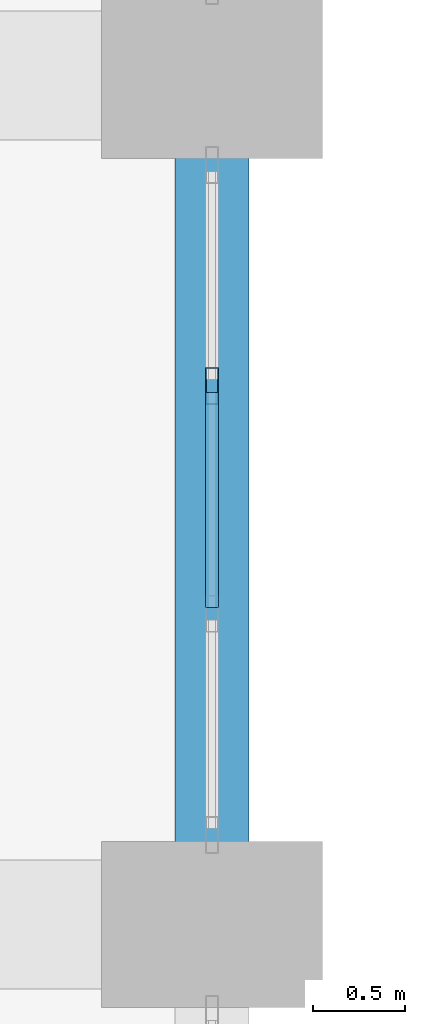
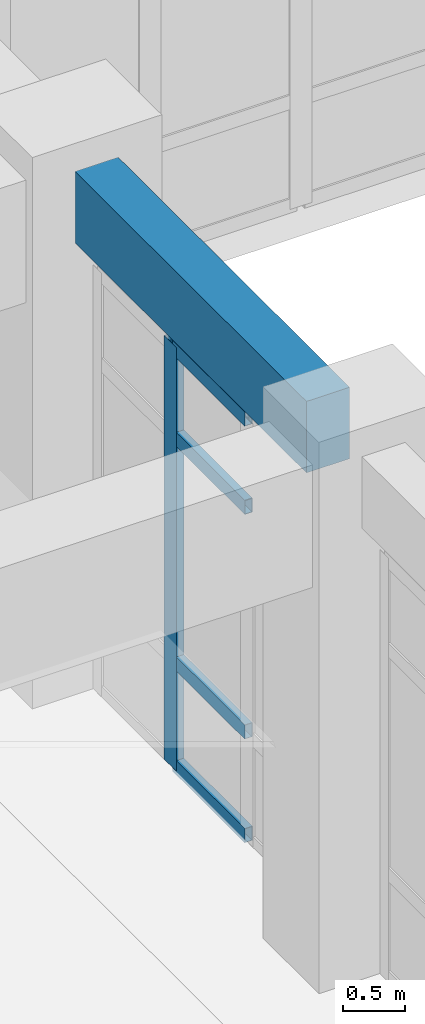
# One storey, part 40 of 84: 5 members, 1 beam, 1 element without a shape of its own.
"""IFC4 building model written with IfcOpenShell, lengths in metres."""

import ifcopenshell
import ifcopenshell.guid

model = None  # the IFC model being written
_history = None  # IfcOwnerHistory: only IFC2X3 demands one
_inside = {}  # id of a spatial element -> (the spatial element, [elements in it])
_under = {}  # id of a project, library or spatial element -> (it, [spatial elements below it])
_declared = {}  # id of a project -> (the project, [libraries it declares])
_typed = {}  # id of a type object -> (the type object, [elements of that type])
_made_of = {}  # id of a material, layer set ... -> (it, [elements and type objects made of it])


def new_model(schema):
    """Start an empty IFC model of exactly this schema.

    Asked for "IFC4X3", IfcOpenShell would pick the latest addendum, in which some entities
    have other attributes; the version numbers below select the first issue.
    IFC2X3 requires an IfcOwnerHistory on every rooted entity: one is made here for all.
    """
    global model, _history
    if schema == "IFC4X3":
        model = ifcopenshell.file(schema_version=(4, 3, 0, 0))
    else:
        model = ifcopenshell.file(schema=schema)
    _inside.clear()
    _under.clear()
    _declared.clear()
    _typed.clear()
    _made_of.clear()
    _history = None
    if model.schema == "IFC2X3":
        org = make("IfcOrganization", Name="unknown")
        user = make(
            "IfcPersonAndOrganization",
            ThePerson=make("IfcPerson", FamilyName="unknown"),
            TheOrganization=org,
        )
        app = make(
            "IfcApplication",
            ApplicationDeveloper=org,
            Version="unknown",
            ApplicationFullName="unknown",
            ApplicationIdentifier="unknown",
        )
        _history = make(
            "IfcOwnerHistory",
            OwningUser=user,
            OwningApplication=app,
            ChangeAction="ADDED",
            CreationDate=0,
        )
    return model


def make(cls, **values):
    """One entity of the class cls with the attributes given. An attribute that is None is left unset."""
    return model.create_entity(
        cls, **{name: value for name, value in values.items() if value is not None}
    )


def rooted(cls, **values):
    """An entity with a GlobalId (a new one), such as an element, a storey or a relation."""
    return make(cls, GlobalId=ifcopenshell.guid.new(), OwnerHistory=_history, **values)


def si_unit(unit_type, name, prefix=None):
    """IfcSIUnit, for example si_unit("LENGTHUNIT", "METRE", prefix="MILLI")."""
    return make("IfcSIUnit", UnitType=unit_type, Prefix=prefix, Name=name)


def assignment(units):
    """IfcUnitAssignment: the units of a project."""
    return None if units is None else make("IfcUnitAssignment", Units=units)


def point(xyz):
    """IfcCartesianPoint."""
    return None if xyz is None else make("IfcCartesianPoint", Coordinates=xyz)


def direction(xyz):
    """IfcDirection."""
    return None if xyz is None else make("IfcDirection", DirectionRatios=xyz)


def frame(location, z_axis=None, x_axis=None):
    """IfcAxis2Placement3D, a coordinate frame: its origin and axes. An axis left out is left unset."""
    return make(
        "IfcAxis2Placement3D",
        Location=point(location),
        Axis=direction(z_axis),
        RefDirection=direction(x_axis),
    )


def frame_2d(location, x_axis=None):
    """IfcAxis2Placement2D, a coordinate frame in the plane: its origin and x axis."""
    return make(
        "IfcAxis2Placement2D", Location=point(location), RefDirection=direction(x_axis)
    )


def origin():
    """The frame at (0, 0, 0) with its axes left unset."""
    return frame((0.0, 0.0, 0.0))


def origin_2d():
    """The frame at (0, 0) in the plane with its x axis left unset."""
    return frame_2d((0.0, 0.0))


def place(relative_to, where):
    """IfcLocalPlacement: puts the frame where relative to a parent placement (None: the world)."""
    return make(
        "IfcLocalPlacement", PlacementRelTo=relative_to, RelativePlacement=where
    )


def context(
    kind, dimensions, precision=None, world=None, true_north=None, identifier=None
):
    """IfcGeometricRepresentationContext, for example the 3D "Model" context."""
    return make(
        "IfcGeometricRepresentationContext",
        ContextIdentifier=identifier,
        ContextType=kind,
        CoordinateSpaceDimension=dimensions,
        Precision=precision,
        WorldCoordinateSystem=world,
        TrueNorth=true_north,
    )


def subcontext(parent, identifier, kind, view, scale=None):
    """IfcGeometricRepresentationSubContext, for example "Body" below "Model"."""
    return make(
        "IfcGeometricRepresentationSubContext",
        ContextIdentifier=identifier,
        ContextType=kind,
        ParentContext=parent,
        TargetScale=scale,
        TargetView=view,
    )


def project(units=None, contexts=None):
    """IfcProject with its units and contexts."""
    return rooted(
        "IfcProject",
        Name="project",
        RepresentationContexts=contexts,
        UnitsInContext=assignment(units),
    )


def spatial(cls, under=None, at=None, **own):
    """A site, building, storey or space (cls), placed at a placement, below another one or the project."""
    s = rooted(cls, ObjectPlacement=at, **own)
    if under is not None:
        _under.setdefault(under.id(), (under, []))[1].append(s)
    return s


def profile(cls, at=None, kind="AREA", **sizes):
    """A parametric profile (cls). Its sizes go by their IFC names, for example OverallWidth=200.0."""
    return make(cls, ProfileType=kind, Position=at, **sizes)


def rectangle(**sizes):
    """IfcRectangleProfileDef."""
    return profile("IfcRectangleProfileDef", **sizes)


def hollow_rectangle(**sizes):
    """IfcRectangleHollowProfileDef."""
    return profile("IfcRectangleHollowProfileDef", **sizes)


def extrude(swept, where, along, depth):
    """IfcExtrudedAreaSolid: the profile swept, set in the frame where, extruded along a direction by depth."""
    return make(
        "IfcExtrudedAreaSolid",
        SweptArea=swept,
        Position=where,
        ExtrudedDirection=direction(along),
        Depth=depth,
    )


def shape(context_of_items, identifier, shape_type, items):
    """IfcShapeRepresentation: the items that make up one representation, for example the "Body"."""
    return make(
        "IfcShapeRepresentation",
        ContextOfItems=context_of_items,
        RepresentationIdentifier=identifier,
        RepresentationType=shape_type,
        Items=items,
    )


def material(Name=None, Category=None):
    """IfcMaterial."""
    return make("IfcMaterial", Name=Name, Category=Category)


def layer(
    of_material, thickness, ventilated=None, Name=None, Category=None, Priority=None
):
    """IfcMaterialLayer: one layer of a wall or slab, of a material (None: an air gap)."""
    return make(
        "IfcMaterialLayer",
        Material=of_material,
        LayerThickness=thickness,
        IsVentilated=ventilated,
        Name=Name,
        Category=Category,
        Priority=Priority,
    )


def layer_set(layers, Name=None):
    """IfcMaterialLayerSet."""
    return make("IfcMaterialLayerSet", MaterialLayers=layers, LayerSetName=Name)


def material_profile(
    of_material, cross_section, Name=None, Category=None, Priority=None
):
    """IfcMaterialProfile: a cross section and its material."""
    return make(
        "IfcMaterialProfile",
        Name=Name,
        Material=of_material,
        Profile=cross_section,
        Priority=Priority,
        Category=Category,
    )


def profile_set(profiles, Name=None, composite=None):
    """IfcMaterialProfileSet."""
    return make(
        "IfcMaterialProfileSet",
        Name=Name,
        MaterialProfiles=profiles,
        CompositeProfile=composite,
    )


def made_of(thing, what):
    """Note that an element or type object is made of a material, layer set ...; save() writes the relation."""
    if what is not None:
        _made_of.setdefault(what.id(), (what, []))[1].append(thing)
    return thing


def type_object(cls, material=None, **own):
    """A type object (cls), such as IfcWallType, which elements share."""
    return made_of(rooted(cls, **own), material)


def element(
    cls,
    number,
    at=None,
    inside=None,
    cuts=None,
    type_object=None,
    material=None,
    context=None,
    identifier="Body",
    shape_type=None,
    held_by="IfcProductDefinitionShape",
    body=None,
    shapes=None,
    **own,
):
    """One element of the class cls, such as IfcWall. Its Tag is "e" and its number.

    at: its placement. inside: the storey or other place that contains it. cuts: it is an
    opening in that element (IfcRelVoidsElement). A single representation is given by context,
    identifier, shape_type and body (its items); several are given by shapes. held_by: the class
    of the entity that holds the representations. save() writes the other relations.
    """
    e = rooted(cls, Tag="e%d" % number, ObjectPlacement=at, **own)
    if body is not None:
        shapes = [shape(context, identifier, shape_type, body)]
    if shapes is not None:
        e.Representation = make(held_by, Representations=shapes)
    if inside is not None:
        _inside.setdefault(inside.id(), (inside, []))[1].append(e)
    if cuts is not None:
        rooted(
            "IfcRelVoidsElement", RelatingBuildingElement=cuts, RelatedOpeningElement=e
        )
    if type_object is not None:
        _typed.setdefault(type_object.id(), (type_object, []))[1].append(e)
    return made_of(e, material)


def aggregate(whole, parts):
    """IfcRelAggregates: a whole, such as a stair, and the parts it consists of."""
    return rooted("IfcRelAggregates", RelatingObject=whole, RelatedObjects=parts)


def save(model, path):
    """Write the relations noted so far, then the file.

    IfcRelAggregates (storeys below a building ...), IfcRelContainedInSpatialStructure (elements
    in a storey), IfcRelDefinesByType, IfcRelAssociatesMaterial and IfcRelDeclares: one each for
    every whole, place, type object, material and project.
    """
    for whole, parts in _under.values():
        aggregate(whole, parts)
    for where, things in _inside.values():
        rooted(
            "IfcRelContainedInSpatialStructure",
            RelatedElements=things,
            RelatingStructure=where,
        )
    for kind, things in _typed.values():
        rooted("IfcRelDefinesByType", RelatedObjects=things, RelatingType=kind)
    for what, things in _made_of.values():
        rooted("IfcRelAssociatesMaterial", RelatedObjects=things, RelatingMaterial=what)
    for by, libraries in _declared.values():
        rooted("IfcRelDeclares", RelatingContext=by, RelatedDefinitions=libraries)
    model.write(path)


model = new_model("IFC4")

# Units and contexts
model_context = context("Model", 3, precision=1e-05, world=origin(), true_north=direction((0.0, 1.0)))
body_context = subcontext(model_context, "Body", "Model", "MODEL_VIEW")
ifc_project = project(units=[si_unit("LENGTHUNIT", "METRE"), si_unit("AREAUNIT", "SQUARE_METRE"), si_unit("VOLUMEUNIT", "CUBIC_METRE"), si_unit("PLANEANGLEUNIT", "RADIAN"), si_unit("MASSUNIT", "GRAM", prefix="KILO")], contexts=[model_context])

# Site, building, storey
site_placement = place(None, origin())
site = spatial("IfcSite", under=ifc_project, at=site_placement, CompositionType="ELEMENT")
building_placement = place(site_placement, origin())
building = spatial("IfcBuilding", under=site, at=building_placement, Name="Muzn Square Opera House", CompositionType="ELEMENT")
storey_placement = place(building_placement, origin())
storey = spatial("IfcBuildingStorey", under=building, at=storey_placement, Name="L00", CompositionType="ELEMENT", Elevation=0.0)

# Curtain wall, members
ifc_material_1 = material(Name="Low-E laminated acoustic double glazing", Category="glass")
ifc_layer = layer(ifc_material_1, 0.159912109375, Name="Low-E laminated acoustic double glazing", Category="glass")
ifc_layer_set = layer_set([ifc_layer], Name="Low-E laminated acoustic double glazing")
curtain_wall_type = type_object("IfcCurtainWallType", Name="Glazed Curtain Wall EastVaultCourt 3700x4150", PredefinedType="USERDEFINED", material=ifc_layer_set)
curtain_wall_placement = place(storey_placement, origin())
curtain_wall = element("IfcCurtainWall", 1, at=curtain_wall_placement, inside=storey, type_object=curtain_wall_type, Name="Glazed Curtain Wall CW-L00-036", ObjectType="GLAZED CURTAIN WALL", PredefinedType="USERDEFINED")
ifc_material_2 = material(Name="Anodised bronze aluminium 6063-T6", Category="metal")
ifc_material_profile_1 = material_profile(ifc_material_2, hollow_rectangle(XDim=0.070068359375, YDim=0.199951171875, WallThickness=0.0048828125, at=origin_2d()), Name="ALU 200x70x5", Category="metal")
ifc_profile_set_1 = profile_set([ifc_material_profile_1], Name="Anodised bronze aluminium 6063-T6")
member_type_1 = type_object("IfcMemberType", Name="Curtain Wall Mullion 200x70", PredefinedType="MULLION", material=ifc_profile_set_1)
member_1_placement = place(storey_placement, frame((133.0, 47.916748046875, 0.0), z_axis=(0.0, 0.0, 1.0), x_axis=(-1.0, 0.0, 0.0)))
member_1 = element("IfcMember", 2, at=member_1_placement, type_object=member_type_1, Name="CW-EVC-37x41 mullion 3", PredefinedType="MULLION", context=body_context, shape_type="SweptSolid", body=[
    extrude(hollow_rectangle(XDim=0.070068359375, YDim=0.199951171875, WallThickness=0.0048828125, at=origin_2d()), origin(), (0.0, 0.0, 1.0), 4.14990234375),
])
ifc_material_profile_2 = material_profile(ifc_material_2, hollow_rectangle(XDim=0.070068359375, YDim=0.139892578125, WallThickness=0.00390625, at=origin_2d()), Name="ALU 140x70x4", Category="metal")
ifc_profile_set_2 = profile_set([ifc_material_profile_2], Name="Anodised bronze aluminium 6063-T6")
member_type_2 = type_object("IfcMemberType", Name="Curtain Wall Transom 140x70", PredefinedType="USERDEFINED", material=ifc_profile_set_2)
member_2_placement = place(storey_placement, frame((133.0, 46.71826171875, 0.034912109375), z_axis=(0.0, 1.0, 0.0), x_axis=(-1.0, 0.0, 0.0)))
member_2 = element("IfcMember", 3, at=member_2_placement, type_object=member_type_2, Name="CW-EVC-37x41 transom 2.1", ObjectType="TRANSOM", PredefinedType="USERDEFINED", context=body_context, shape_type="SweptSolid", body=[
    extrude(hollow_rectangle(XDim=0.070068359375, YDim=0.139892578125, WallThickness=0.00390625, at=origin_2d()), origin(), (0.0, 0.0, 1.0), 1.163330078125),
])
member_3_placement = place(storey_placement, frame((133.0, 46.71826171875, 1.050048828125), z_axis=(0.0, 1.0, 0.0), x_axis=(-1.0, 0.0, 0.0)))
member_3 = element("IfcMember", 4, at=member_3_placement, type_object=member_type_2, Name="CW-EVC-37x41 transom 2.2", ObjectType="TRANSOM", PredefinedType="USERDEFINED", context=body_context, shape_type="SweptSolid", body=[
    extrude(hollow_rectangle(XDim=0.070068359375, YDim=0.139892578125, WallThickness=0.00390625, at=origin_2d()), origin(), (0.0, 0.0, 1.0), 1.163330078125),
])
member_4_placement = place(storey_placement, frame((133.0, 46.71826171875, 3.25), z_axis=(0.0, 1.0, 0.0), x_axis=(-1.0, 0.0, 0.0)))
member_4 = element("IfcMember", 5, at=member_4_placement, type_object=member_type_2, Name="CW-EVC-37x41 transom 2.3", ObjectType="TRANSOM", PredefinedType="USERDEFINED", context=body_context, shape_type="SweptSolid", body=[
    extrude(hollow_rectangle(XDim=0.070068359375, YDim=0.139892578125, WallThickness=0.00390625, at=origin_2d()), origin(), (0.0, 0.0, 1.0), 1.163330078125),
])
member_5_placement = place(storey_placement, frame((133.0, 46.71826171875, 4.114990234375), z_axis=(0.0, 1.0, 0.0), x_axis=(-1.0, 0.0, 0.0)))
member_5 = element("IfcMember", 6, at=member_5_placement, type_object=member_type_2, Name="CW-EVC-37x41 transom 2.4", ObjectType="TRANSOM", PredefinedType="USERDEFINED", context=body_context, shape_type="SweptSolid", body=[
    extrude(hollow_rectangle(XDim=0.070068359375, YDim=0.139892578125, WallThickness=0.00390625, at=origin_2d()), origin(), (0.0, 0.0, 1.0), 1.163330078125),
])
aggregate(curtain_wall, [member_1, member_2, member_3, member_4, member_5])

# Beam
ifc_material_3 = material(Name="Concrete C40/50", Category="concrete")
ifc_material_profile_3 = material_profile(ifc_material_3, rectangle(XDim=0.39990234375, YDim=0.699951171875, at=origin_2d()), Name="RCB 400x700", Category="concrete")
ifc_profile_set_3 = profile_set([ifc_material_profile_3], Name="Concrete C40/50")
beam_type = type_object("IfcBeamType", Name="Primary Girder 400x700", PredefinedType="BEAM", material=ifc_profile_set_3)
beam_placement = place(storey_placement, frame((133.0, 45.44189453125, 4.77001953125), z_axis=(0.0, 1.0, 0.0), x_axis=(-1.0, 0.0, 0.0)))
element("IfcBeam", 7, at=beam_placement, inside=storey, type_object=beam_type, Name="Primary Girder BM-L00-BM-PG700-1330_454_1330_492-1109", PredefinedType="BEAM", context=body_context, shape_type="SweptSolid", body=[
    extrude(rectangle(XDim=0.39990234375, YDim=0.699951171875, at=origin_2d()), origin(), (0.0, 0.0, 1.0), 3.716064453125),
])

save(model, "model.ifc")
